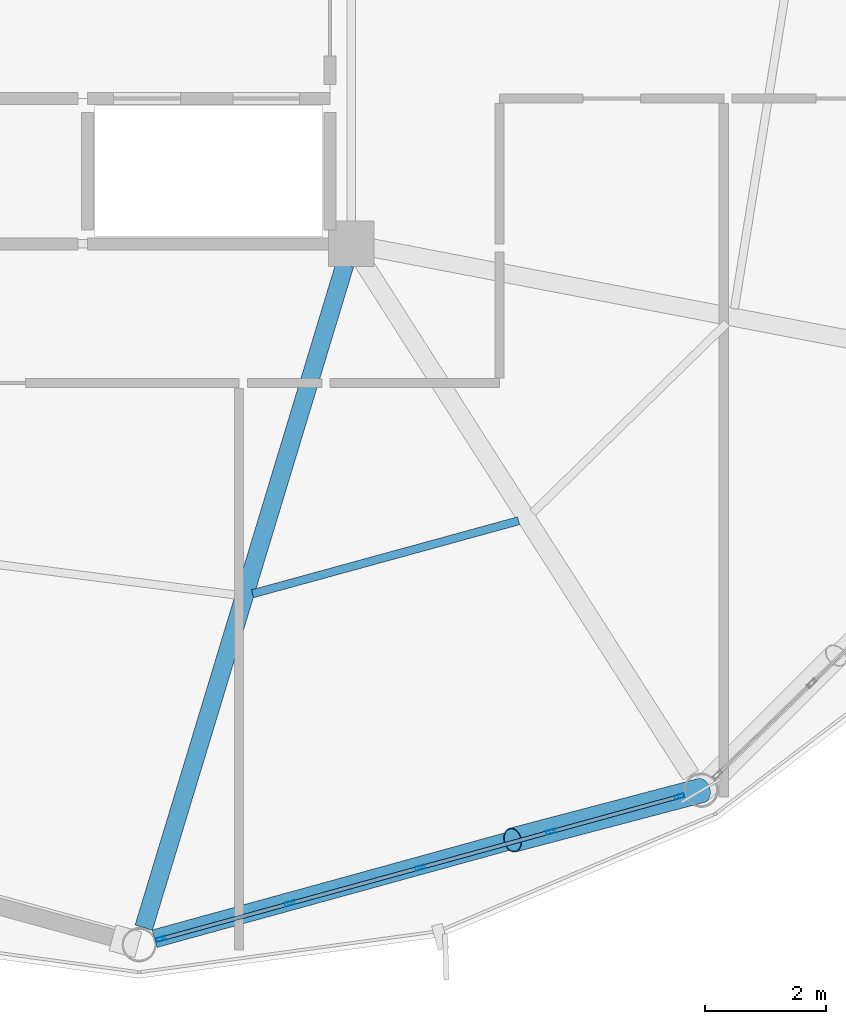
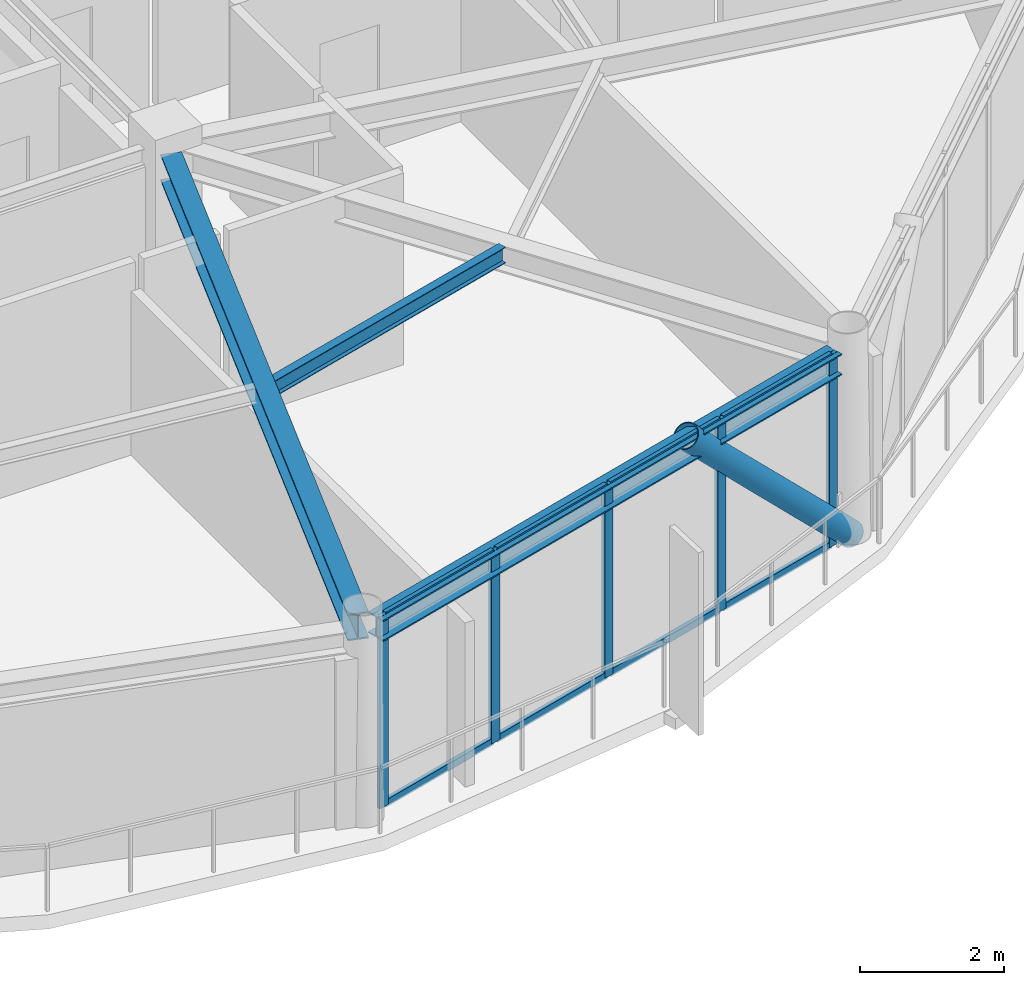
# One storey, part 7 of 28: 14 members, 3 beams, 1 element without a shape of its own.
"""IFC4 building model written with IfcOpenShell, lengths in metres."""

import ifcopenshell
import ifcopenshell.guid

model = None  # the IFC model being written
_history = None  # IfcOwnerHistory: only IFC2X3 demands one
_inside = {}  # id of a spatial element -> (the spatial element, [elements in it])
_under = {}  # id of a project, library or spatial element -> (it, [spatial elements below it])
_declared = {}  # id of a project -> (the project, [libraries it declares])
_typed = {}  # id of a type object -> (the type object, [elements of that type])
_made_of = {}  # id of a material, layer set ... -> (it, [elements and type objects made of it])


def new_model(schema):
    """Start an empty IFC model of exactly this schema.

    Asked for "IFC4X3", IfcOpenShell would pick the latest addendum, in which some entities
    have other attributes; the version numbers below select the first issue.
    IFC2X3 requires an IfcOwnerHistory on every rooted entity: one is made here for all.
    """
    global model, _history
    if schema == "IFC4X3":
        model = ifcopenshell.file(schema_version=(4, 3, 0, 0))
    else:
        model = ifcopenshell.file(schema=schema)
    _inside.clear()
    _under.clear()
    _declared.clear()
    _typed.clear()
    _made_of.clear()
    _history = None
    if model.schema == "IFC2X3":
        org = make("IfcOrganization", Name="unknown")
        user = make(
            "IfcPersonAndOrganization",
            ThePerson=make("IfcPerson", FamilyName="unknown"),
            TheOrganization=org,
        )
        app = make(
            "IfcApplication",
            ApplicationDeveloper=org,
            Version="unknown",
            ApplicationFullName="unknown",
            ApplicationIdentifier="unknown",
        )
        _history = make(
            "IfcOwnerHistory",
            OwningUser=user,
            OwningApplication=app,
            ChangeAction="ADDED",
            CreationDate=0,
        )
    return model


def make(cls, **values):
    """One entity of the class cls with the attributes given. An attribute that is None is left unset."""
    return model.create_entity(
        cls, **{name: value for name, value in values.items() if value is not None}
    )


def rooted(cls, **values):
    """An entity with a GlobalId (a new one), such as an element, a storey or a relation."""
    return make(cls, GlobalId=ifcopenshell.guid.new(), OwnerHistory=_history, **values)


def si_unit(unit_type, name, prefix=None):
    """IfcSIUnit, for example si_unit("LENGTHUNIT", "METRE", prefix="MILLI")."""
    return make("IfcSIUnit", UnitType=unit_type, Prefix=prefix, Name=name)


def assignment(units):
    """IfcUnitAssignment: the units of a project."""
    return None if units is None else make("IfcUnitAssignment", Units=units)


def point(xyz):
    """IfcCartesianPoint."""
    return None if xyz is None else make("IfcCartesianPoint", Coordinates=xyz)


def direction(xyz):
    """IfcDirection."""
    return None if xyz is None else make("IfcDirection", DirectionRatios=xyz)


def frame(location, z_axis=None, x_axis=None):
    """IfcAxis2Placement3D, a coordinate frame: its origin and axes. An axis left out is left unset."""
    return make(
        "IfcAxis2Placement3D",
        Location=point(location),
        Axis=direction(z_axis),
        RefDirection=direction(x_axis),
    )


def frame_2d(location, x_axis=None):
    """IfcAxis2Placement2D, a coordinate frame in the plane: its origin and x axis."""
    return make(
        "IfcAxis2Placement2D", Location=point(location), RefDirection=direction(x_axis)
    )


def origin():
    """The frame at (0, 0, 0) with its axes left unset."""
    return frame((0.0, 0.0, 0.0))


def origin_2d():
    """The frame at (0, 0) in the plane with its x axis left unset."""
    return frame_2d((0.0, 0.0))


def place(relative_to, where):
    """IfcLocalPlacement: puts the frame where relative to a parent placement (None: the world)."""
    return make(
        "IfcLocalPlacement", PlacementRelTo=relative_to, RelativePlacement=where
    )


def context(
    kind, dimensions, precision=None, world=None, true_north=None, identifier=None
):
    """IfcGeometricRepresentationContext, for example the 3D "Model" context."""
    return make(
        "IfcGeometricRepresentationContext",
        ContextIdentifier=identifier,
        ContextType=kind,
        CoordinateSpaceDimension=dimensions,
        Precision=precision,
        WorldCoordinateSystem=world,
        TrueNorth=true_north,
    )


def subcontext(parent, identifier, kind, view, scale=None):
    """IfcGeometricRepresentationSubContext, for example "Body" below "Model"."""
    return make(
        "IfcGeometricRepresentationSubContext",
        ContextIdentifier=identifier,
        ContextType=kind,
        ParentContext=parent,
        TargetScale=scale,
        TargetView=view,
    )


def project(units=None, contexts=None):
    """IfcProject with its units and contexts."""
    return rooted(
        "IfcProject",
        Name="project",
        RepresentationContexts=contexts,
        UnitsInContext=assignment(units),
    )


def spatial(cls, under=None, at=None, **own):
    """A site, building, storey or space (cls), placed at a placement, below another one or the project."""
    s = rooted(cls, ObjectPlacement=at, **own)
    if under is not None:
        _under.setdefault(under.id(), (under, []))[1].append(s)
    return s


def profile(cls, at=None, kind="AREA", **sizes):
    """A parametric profile (cls). Its sizes go by their IFC names, for example OverallWidth=200.0."""
    return make(cls, ProfileType=kind, Position=at, **sizes)


def hollow_rectangle(**sizes):
    """IfcRectangleHollowProfileDef."""
    return profile("IfcRectangleHollowProfileDef", **sizes)


def hollow_circle(**sizes):
    """IfcCircleHollowProfileDef."""
    return profile("IfcCircleHollowProfileDef", **sizes)


def i_section(**sizes):
    """IfcIShapeProfileDef."""
    return profile("IfcIShapeProfileDef", **sizes)


def extrude(swept, where, along, depth):
    """IfcExtrudedAreaSolid: the profile swept, set in the frame where, extruded along a direction by depth."""
    return make(
        "IfcExtrudedAreaSolid",
        SweptArea=swept,
        Position=where,
        ExtrudedDirection=direction(along),
        Depth=depth,
    )


def shape(context_of_items, identifier, shape_type, items):
    """IfcShapeRepresentation: the items that make up one representation, for example the "Body"."""
    return make(
        "IfcShapeRepresentation",
        ContextOfItems=context_of_items,
        RepresentationIdentifier=identifier,
        RepresentationType=shape_type,
        Items=items,
    )


def material(Name=None, Category=None):
    """IfcMaterial."""
    return make("IfcMaterial", Name=Name, Category=Category)


def layer(
    of_material, thickness, ventilated=None, Name=None, Category=None, Priority=None
):
    """IfcMaterialLayer: one layer of a wall or slab, of a material (None: an air gap)."""
    return make(
        "IfcMaterialLayer",
        Material=of_material,
        LayerThickness=thickness,
        IsVentilated=ventilated,
        Name=Name,
        Category=Category,
        Priority=Priority,
    )


def layer_set(layers, Name=None):
    """IfcMaterialLayerSet."""
    return make("IfcMaterialLayerSet", MaterialLayers=layers, LayerSetName=Name)


def material_profile(
    of_material, cross_section, Name=None, Category=None, Priority=None
):
    """IfcMaterialProfile: a cross section and its material."""
    return make(
        "IfcMaterialProfile",
        Name=Name,
        Material=of_material,
        Profile=cross_section,
        Priority=Priority,
        Category=Category,
    )


def profile_set(profiles, Name=None, composite=None):
    """IfcMaterialProfileSet."""
    return make(
        "IfcMaterialProfileSet",
        Name=Name,
        MaterialProfiles=profiles,
        CompositeProfile=composite,
    )


def made_of(thing, what):
    """Note that an element or type object is made of a material, layer set ...; save() writes the relation."""
    if what is not None:
        _made_of.setdefault(what.id(), (what, []))[1].append(thing)
    return thing


def type_object(cls, material=None, **own):
    """A type object (cls), such as IfcWallType, which elements share."""
    return made_of(rooted(cls, **own), material)


def element(
    cls,
    number,
    at=None,
    inside=None,
    cuts=None,
    type_object=None,
    material=None,
    context=None,
    identifier="Body",
    shape_type=None,
    held_by="IfcProductDefinitionShape",
    body=None,
    shapes=None,
    **own,
):
    """One element of the class cls, such as IfcWall. Its Tag is "e" and its number.

    at: its placement. inside: the storey or other place that contains it. cuts: it is an
    opening in that element (IfcRelVoidsElement). A single representation is given by context,
    identifier, shape_type and body (its items); several are given by shapes. held_by: the class
    of the entity that holds the representations. save() writes the other relations.
    """
    e = rooted(cls, Tag="e%d" % number, ObjectPlacement=at, **own)
    if body is not None:
        shapes = [shape(context, identifier, shape_type, body)]
    if shapes is not None:
        e.Representation = make(held_by, Representations=shapes)
    if inside is not None:
        _inside.setdefault(inside.id(), (inside, []))[1].append(e)
    if cuts is not None:
        rooted(
            "IfcRelVoidsElement", RelatingBuildingElement=cuts, RelatedOpeningElement=e
        )
    if type_object is not None:
        _typed.setdefault(type_object.id(), (type_object, []))[1].append(e)
    return made_of(e, material)


def aggregate(whole, parts):
    """IfcRelAggregates: a whole, such as a stair, and the parts it consists of."""
    return rooted("IfcRelAggregates", RelatingObject=whole, RelatedObjects=parts)


def save(model, path):
    """Write the relations noted so far, then the file.

    IfcRelAggregates (storeys below a building ...), IfcRelContainedInSpatialStructure (elements
    in a storey), IfcRelDefinesByType, IfcRelAssociatesMaterial and IfcRelDeclares: one each for
    every whole, place, type object, material and project.
    """
    for whole, parts in _under.values():
        aggregate(whole, parts)
    for where, things in _inside.values():
        rooted(
            "IfcRelContainedInSpatialStructure",
            RelatedElements=things,
            RelatingStructure=where,
        )
    for kind, things in _typed.values():
        rooted("IfcRelDefinesByType", RelatedObjects=things, RelatingType=kind)
    for what, things in _made_of.values():
        rooted("IfcRelAssociatesMaterial", RelatedObjects=things, RelatingMaterial=what)
    for by, libraries in _declared.values():
        rooted("IfcRelDeclares", RelatingContext=by, RelatedDefinitions=libraries)
    model.write(path)


model = new_model("IFC4")

# Units and contexts
model_context = context("Model", 3, precision=1e-05, world=origin(), true_north=direction((0.0, 1.0)))
body_context = subcontext(model_context, "Body", "Model", "MODEL_VIEW")
ifc_project = project(units=[si_unit("LENGTHUNIT", "METRE"), si_unit("AREAUNIT", "SQUARE_METRE"), si_unit("VOLUMEUNIT", "CUBIC_METRE"), si_unit("PLANEANGLEUNIT", "RADIAN"), si_unit("MASSUNIT", "GRAM", prefix="KILO")], contexts=[model_context])

# Site, building, storey
site_placement = place(None, origin())
site = spatial("IfcSite", under=ifc_project, at=site_placement, CompositionType="ELEMENT")
building_placement = place(site_placement, origin())
building = spatial("IfcBuilding", under=site, at=building_placement, Name="Varnakorn Sky Granary", CompositionType="ELEMENT")
storey_placement = place(building_placement, frame((0.0, 0.0, 236.39990234375)))
storey = spatial("IfcBuildingStorey", under=building, at=storey_placement, Name="L60", CompositionType="ELEMENT", Elevation=236.39990234375)

# Beams
ifc_material_1 = material(Name="Steel S355JR", Category="steel")
ifc_material_profile_1 = material_profile(ifc_material_1, i_section(OverallWidth=0.300048828125, OverallDepth=0.449951171875, WebThickness=0.013916015625, FlangeThickness=0.02587890625, at=origin_2d()), Name="HE 450 B")
ifc_profile_set_1 = profile_set([ifc_material_profile_1], Name="Steel S355JR")
beam_type_1 = type_object("IfcBeamType", Name="BM-RAD-Z5", PredefinedType="BEAM", material=ifc_profile_set_1)
beam_1_placement = place(storey_placement, frame((8.2470703125, -6.939697265625, 3.025146484375), z_axis=(-0.290244314669, -0.956952578659, 0.0), x_axis=(0.956952578659, -0.290244314669, 0.0)))
element("IfcBeam", 1, at=beam_1_placement, inside=storey, type_object=beam_type_1, Name="Radial Floor Girder RG10 L60", PredefinedType="BEAM", context=body_context, shape_type="SweptSolid", body=[
    extrude(i_section(OverallWidth=0.300048828125, OverallDepth=0.449951171875, WebThickness=0.013916015625, FlangeThickness=0.02587890625, at=origin_2d()), origin(), (0.0, 0.0, 1.0), 11.439697265625),
])
ifc_material_profile_2 = material_profile(ifc_material_1, i_section(OverallWidth=0.135009765625, OverallDepth=0.27001953125, WebThickness=0.006591796875, FlangeThickness=0.01025390625, at=origin_2d()), Name="IPE 270")
ifc_profile_set_2 = profile_set([ifc_material_profile_2], Name="Steel S355JR")
beam_type_2 = type_object("IfcBeamType", Name="BM-SEC-Z5", PredefinedType="BEAM", material=ifc_profile_set_2)
beam_2_placement = place(storey_placement, frame((6.721923828125, -12.376220703125, 3.114990234375), z_axis=(0.964361830955, 0.264586959235, 0.0), x_axis=(-0.264586959235, 0.964361830955, 0.0)))
element("IfcBeam", 2, at=beam_2_placement, inside=storey, type_object=beam_type_2, Name="Secondary Floor Chord Beam MSB10 L60", PredefinedType="BEAM", context=body_context, shape_type="SweptSolid", body=[
    extrude(i_section(OverallWidth=0.135009765625, OverallDepth=0.27001953125, WebThickness=0.006591796875, FlangeThickness=0.01025390625, at=origin_2d()), origin(), (0.0, 0.0, 1.0), 4.5537109375),
])
ifc_material_profile_3 = material_profile(ifc_material_1, i_section(OverallWidth=0.300048828125, OverallDepth=0.360107421875, WebThickness=0.012451171875, FlangeThickness=0.0224609375, at=origin_2d()), Name="HE 360 B")
ifc_profile_set_3 = profile_set([ifc_material_profile_3], Name="Steel S355JR")
beam_type_3 = type_object("IfcBeamType", Name="BM-SPD-Z5", PredefinedType="SPANDREL", material=ifc_profile_set_3)
beam_3_placement = place(storey_placement, frame((5.10498046875, -18.06982421875, 3.070068359375), z_axis=(0.964098741197, 0.265544002423, 0.0), x_axis=(-0.265544002423, 0.964098741197, 0.0)))
element("IfcBeam", 3, at=beam_3_placement, inside=storey, type_object=beam_type_3, Name="Perimeter Spandrel Ring Beam RB10 L60", PredefinedType="SPANDREL", context=body_context, shape_type="SweptSolid", body=[
    extrude(i_section(OverallWidth=0.300048828125, OverallDepth=0.360107421875, WebThickness=0.012451171875, FlangeThickness=0.0224609375, at=origin_2d()), origin(), (0.0, 0.0, 1.0), 9.0634765625),
])

# Curtain wall, members
ifc_material_2 = material(Name="Anodised Bronze Aluminium Alloy 6063-T6", Category="aluminium")
ifc_layer = layer(ifc_material_2, 0.159912109375, Name="Anodised Bronze Aluminium Alloy 6063-T6")
ifc_layer_set = layer_set([ifc_layer], Name="Anodised Bronze Aluminium Alloy 6063-T6")
curtain_wall_type = type_object("IfcCurtainWallType", Name="CW-OFF-1", PredefinedType="USERDEFINED", material=ifc_layer_set)
curtain_wall_placement = place(storey_placement, origin())
curtain_wall = element("IfcCurtainWall", 4, at=curtain_wall_placement, inside=storey, type_object=curtain_wall_type, Name="Unitised Curtain Wall CW6 CW-L60-B10", ObjectType="CURTAIN WALL", PredefinedType="USERDEFINED")
ifc_material_profile_4 = material_profile(ifc_material_2, hollow_rectangle(XDim=0.06494140625, YDim=0.159912109375, WallThickness=0.00341796875, at=origin_2d()), Name="ALU MULL 65x160")
ifc_profile_set_4 = profile_set([ifc_material_profile_4], Name="Anodised Bronze Aluminium Alloy 6063-T6")
member_type_1 = type_object("IfcMemberType", Name="CW-OFF-1-MULL", PredefinedType="MULLION", material=ifc_profile_set_4)
member_1_placement = place(storey_placement, frame((13.772705078125, -15.720703125, 0.0), z_axis=(0.0, 0.0, 1.0), x_axis=(0.265100109625, -0.964220893715, 0.0)))
member_1 = element("IfcMember", 5, at=member_1_placement, type_object=member_type_1, Name="CW6 mullion 1", PredefinedType="MULLION", context=body_context, shape_type="SweptSolid", body=[
    extrude(hollow_rectangle(XDim=0.06494140625, YDim=0.159912109375, WallThickness=0.00341796875, at=origin_2d()), origin(), (0.0, 0.0, 1.0), 3.25),
])
member_2_placement = place(storey_placement, frame((11.6474609375, -16.30517578125, 0.0), z_axis=(0.0, 0.0, 1.0), x_axis=(0.265100109625, -0.964220893715, 0.0)))
member_2 = element("IfcMember", 6, at=member_2_placement, type_object=member_type_1, Name="CW6 mullion 2", PredefinedType="MULLION", context=body_context, shape_type="SweptSolid", body=[
    extrude(hollow_rectangle(XDim=0.06494140625, YDim=0.159912109375, WallThickness=0.00341796875, at=origin_2d()), origin(), (0.0, 0.0, 1.0), 3.25),
])
member_3_placement = place(storey_placement, frame((9.49072265625, -16.898193359375, 0.0), z_axis=(0.0, 0.0, 1.0), x_axis=(0.265100109625, -0.964220893715, 0.0)))
member_3 = element("IfcMember", 7, at=member_3_placement, type_object=member_type_1, Name="CW6 mullion 3", PredefinedType="MULLION", context=body_context, shape_type="SweptSolid", body=[
    extrude(hollow_rectangle(XDim=0.06494140625, YDim=0.159912109375, WallThickness=0.00341796875, at=origin_2d()), origin(), (0.0, 0.0, 1.0), 3.25),
])
member_4_placement = place(storey_placement, frame((7.333984375, -17.490966796875, 0.0), z_axis=(0.0, 0.0, 1.0), x_axis=(0.265100109625, -0.964220893715, 0.0)))
member_4 = element("IfcMember", 8, at=member_4_placement, type_object=member_type_1, Name="CW6 mullion 4", PredefinedType="MULLION", context=body_context, shape_type="SweptSolid", body=[
    extrude(hollow_rectangle(XDim=0.06494140625, YDim=0.159912109375, WallThickness=0.00341796875, at=origin_2d()), origin(), (0.0, 0.0, 1.0), 3.25),
])
member_5_placement = place(storey_placement, frame((5.208740234375, -18.075439453125, 0.0), z_axis=(0.0, 0.0, 1.0), x_axis=(0.265100109625, -0.964220893715, 0.0)))
member_5 = element("IfcMember", 9, at=member_5_placement, type_object=member_type_1, Name="CW6 mullion 5", PredefinedType="MULLION", context=body_context, shape_type="SweptSolid", body=[
    extrude(hollow_rectangle(XDim=0.06494140625, YDim=0.159912109375, WallThickness=0.00341796875, at=origin_2d()), origin(), (0.0, 0.0, 1.0), 3.25),
])
ifc_material_profile_5 = material_profile(ifc_material_2, hollow_rectangle(XDim=0.06494140625, YDim=0.1201171875, WallThickness=0.00341796875, at=origin_2d()), Name="ALU TRAN 65x120")
ifc_profile_set_5 = profile_set([ifc_material_profile_5], Name="Anodised Bronze Aluminium Alloy 6063-T6")
member_type_2 = type_object("IfcMemberType", Name="CW-OFF-1-TRAN", PredefinedType="USERDEFINED", material=ifc_profile_set_5)
member_6_placement = place(storey_placement, frame((13.741455078125, -15.7294921875, 0.03271484375), z_axis=(-0.964219250615, -0.26510608583, 0.0), x_axis=(0.26510608583, -0.964219250615, 0.0)))
member_6 = element("IfcMember", 10, at=member_6_placement, type_object=member_type_2, Name="CW6 transom 1.1", ObjectType="TRANSOM", PredefinedType="USERDEFINED", context=body_context, shape_type="SweptSolid", body=[
    extrude(hollow_rectangle(XDim=0.06494140625, YDim=0.1201171875, WallThickness=0.00341796875, at=origin_2d()), origin(), (0.0, 0.0, 1.0), 2.139404296875),
])
member_7_placement = place(storey_placement, frame((13.741455078125, -15.7294921875, 3.217529296875), z_axis=(-0.964219250615, -0.26510608583, 0.0), x_axis=(0.26510608583, -0.964219250615, 0.0)))
member_7 = element("IfcMember", 11, at=member_7_placement, type_object=member_type_2, Name="CW6 transom 1.2", ObjectType="TRANSOM", PredefinedType="USERDEFINED", context=body_context, shape_type="SweptSolid", body=[
    extrude(hollow_rectangle(XDim=0.06494140625, YDim=0.1201171875, WallThickness=0.00341796875, at=origin_2d()), origin(), (0.0, 0.0, 1.0), 2.139404296875),
])
member_8_placement = place(storey_placement, frame((11.615966796875, -16.313720703125, 0.03271484375), z_axis=(-0.96422479097, -0.265085934139, 0.0), x_axis=(0.265085934139, -0.96422479097, 0.0)))
member_8 = element("IfcMember", 12, at=member_8_placement, type_object=member_type_2, Name="CW6 transom 2.1", ObjectType="TRANSOM", PredefinedType="USERDEFINED", context=body_context, shape_type="SweptSolid", body=[
    extrude(hollow_rectangle(XDim=0.06494140625, YDim=0.1201171875, WallThickness=0.00341796875, at=origin_2d()), origin(), (0.0, 0.0, 1.0), 2.171630859375),
])
member_9_placement = place(storey_placement, frame((11.615966796875, -16.313720703125, 3.217529296875), z_axis=(-0.96422479097, -0.265085934139, 0.0), x_axis=(0.265085934139, -0.96422479097, 0.0)))
member_9 = element("IfcMember", 13, at=member_9_placement, type_object=member_type_2, Name="CW6 transom 2.2", ObjectType="TRANSOM", PredefinedType="USERDEFINED", context=body_context, shape_type="SweptSolid", body=[
    extrude(hollow_rectangle(XDim=0.06494140625, YDim=0.1201171875, WallThickness=0.00341796875, at=origin_2d()), origin(), (0.0, 0.0, 1.0), 2.171630859375),
])
member_10_placement = place(storey_placement, frame((9.45947265625, -16.90673828125, 0.03271484375), z_axis=(-0.96422479097, -0.265085934139, 0.0), x_axis=(0.265085934139, -0.96422479097, 0.0)))
member_10 = element("IfcMember", 14, at=member_10_placement, type_object=member_type_2, Name="CW6 transom 3.1", ObjectType="TRANSOM", PredefinedType="USERDEFINED", context=body_context, shape_type="SweptSolid", body=[
    extrude(hollow_rectangle(XDim=0.06494140625, YDim=0.1201171875, WallThickness=0.00341796875, at=origin_2d()), origin(), (0.0, 0.0, 1.0), 2.171630859375),
])
member_11_placement = place(storey_placement, frame((9.45947265625, -16.90673828125, 3.217529296875), z_axis=(-0.96422479097, -0.265085934139, 0.0), x_axis=(0.265085934139, -0.96422479097, 0.0)))
member_11 = element("IfcMember", 15, at=member_11_placement, type_object=member_type_2, Name="CW6 transom 3.2", ObjectType="TRANSOM", PredefinedType="USERDEFINED", context=body_context, shape_type="SweptSolid", body=[
    extrude(hollow_rectangle(XDim=0.06494140625, YDim=0.1201171875, WallThickness=0.00341796875, at=origin_2d()), origin(), (0.0, 0.0, 1.0), 2.171630859375),
])
member_12_placement = place(storey_placement, frame((7.302734375, -17.499755859375, 0.03271484375), z_axis=(-0.964248417644, -0.264999979379, 0.0), x_axis=(0.264999979379, -0.964248417644, 0.0)))
member_12 = element("IfcMember", 16, at=member_12_placement, type_object=member_type_2, Name="CW6 transom 4.1", ObjectType="TRANSOM", PredefinedType="USERDEFINED", context=body_context, shape_type="SweptSolid", body=[
    extrude(hollow_rectangle(XDim=0.06494140625, YDim=0.1201171875, WallThickness=0.00341796875, at=origin_2d()), origin(), (0.0, 0.0, 1.0), 2.13916015625),
])
member_13_placement = place(storey_placement, frame((7.302734375, -17.499755859375, 3.217529296875), z_axis=(-0.964248417644, -0.264999979379, 0.0), x_axis=(0.264999979379, -0.964248417644, 0.0)))
member_13 = element("IfcMember", 17, at=member_13_placement, type_object=member_type_2, Name="CW6 transom 4.2", ObjectType="TRANSOM", PredefinedType="USERDEFINED", context=body_context, shape_type="SweptSolid", body=[
    extrude(hollow_rectangle(XDim=0.06494140625, YDim=0.1201171875, WallThickness=0.00341796875, at=origin_2d()), origin(), (0.0, 0.0, 1.0), 2.13916015625),
])
aggregate(curtain_wall, [member_1, member_2, member_3, member_4, member_5, member_6, member_7, member_8, member_9, member_10, member_11, member_12, member_13])

# Member
ifc_material_3 = material(Name="Steel S460M", Category="steel")
ifc_material_profile_6 = material_profile(ifc_material_3, hollow_circle(Radius=0.203125, WallThickness=0.01611328125, at=origin_2d()), Name="CHS 406.4x16")
ifc_profile_set_6 = profile_set([ifc_material_profile_6], Name="Steel S460M")
member_type_3 = type_object("IfcMemberType", Name="MB-DIAG-T4", PredefinedType="BRACE", material=ifc_profile_set_6)
member_14_placement = place(storey_placement, frame((14.131591796875, -15.622314453125, 0.0), z_axis=(-0.680905513276, -0.179081777504, 0.710138999743), x_axis=(0.254355303555, -0.9671108414, 0.0)))
element("IfcMember", 18, at=member_14_placement, inside=storey, type_object=member_type_3, Name="Perimeter CHS Diagrid Brace DG10 L60", PredefinedType="BRACE", context=body_context, shape_type="SweptSolid", body=[
    extrude(hollow_circle(Radius=0.203125, WallThickness=0.01611328125, at=origin_2d()), origin(), (0.0, 0.0, 1.0), 4.57666015625),
])

save(model, "model.ifc")
